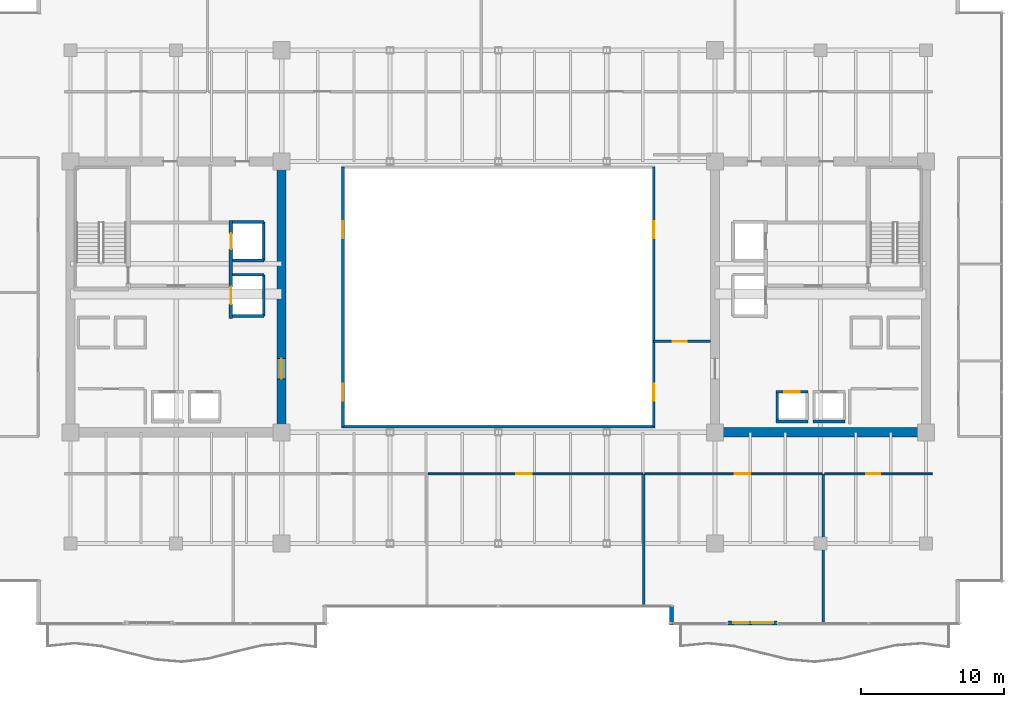
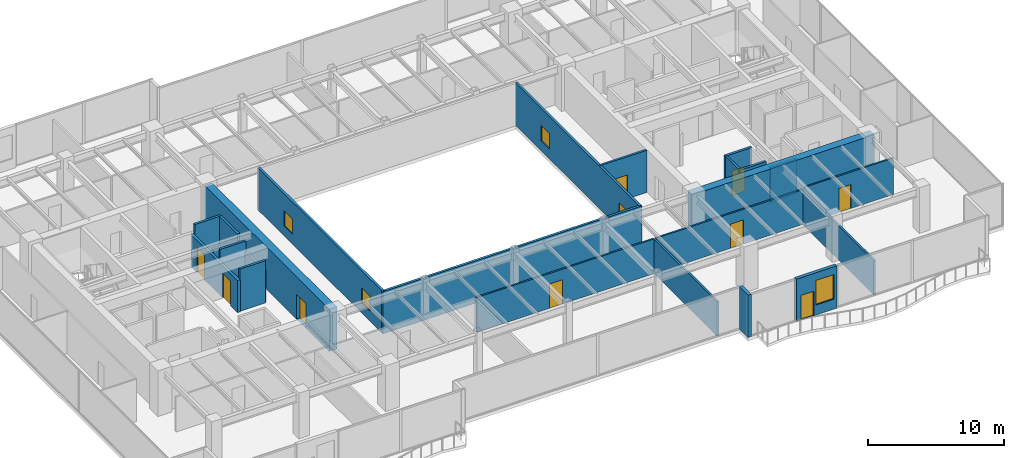
# One storey, part 24 of 30: 24 walls, 9 doors, 5 windows, 14 openings.
"""IFC4 building model written with IfcOpenShell, lengths in metres."""

from ifc_helpers import new_model, si_unit, direction, frame, frame_2d, origin, place, context, subcontext, project, spatial, rectangle, extrude, source, transform, mapped, material, layer, layer_set, type_object, type_shapes, element, fill, save


model = new_model("IFC4")

# Units and contexts
model_context = context("Model", 3, precision=1e-05, world=origin(), true_north=direction((0.0, 1.0)))
body_context = subcontext(model_context, "Body", "Model", "MODEL_VIEW")
ifc_project = project(units=[si_unit("LENGTHUNIT", "METRE"), si_unit("AREAUNIT", "SQUARE_METRE"), si_unit("VOLUMEUNIT", "CUBIC_METRE"), si_unit("PLANEANGLEUNIT", "RADIAN"), si_unit("MASSUNIT", "GRAM", prefix="KILO")], contexts=[model_context])

# Site, building, storey
site_placement = place(None, origin())
site = spatial("IfcSite", under=ifc_project, at=site_placement, CompositionType="ELEMENT")
building_placement = place(site_placement, origin())
building = spatial("IfcBuilding", under=site, at=building_placement, Name="Haelvirn Gate Laboratories", CompositionType="ELEMENT")
storey_placement = place(building_placement, frame((0.0, 0.0, 146.10009765625)))
storey = spatial("IfcBuildingStorey", under=building, at=storey_placement, Name="L35", CompositionType="ELEMENT", Elevation=146.10009765625)

# Wall, openings, door, window
ifc_material_1 = material(Name="Thermally-broken bronze aluminium rainscreen & mineral wool", Category="aluminium")
ifc_layer_1 = layer(ifc_material_1, 0.280029296875, Name="EW-TERR-280")
ifc_layer_set_1 = layer_set([ifc_layer_1], Name="Thermally-broken bronze aluminium rainscreen & mineral wool")
wall_type_1 = type_object("IfcWallType", Name="EW-TERR-280", PredefinedType="STANDARD", material=ifc_layer_set_1)
wall_1_placement = place(storey_placement, frame((53.4970703125, 1.43994140625, 0.0), z_axis=(0.0, 0.0, 1.0), x_axis=(1.0, 0.0, 0.0)))
wall_1 = element("IfcWall", 1, at=wall_1_placement, inside=storey, type_object=wall_type_1, Name="L35 Terrace Access Wall WB-EL-S", PredefinedType="STANDARD", context=body_context, shape_type="SweptSolid", body=[
    extrude(rectangle(XDim=3.455810546875, YDim=0.280029296875, at=frame_2d((1.72802734375, 0.0))), origin(), (0.0, 0.0, 1.0), 3.789794921875),
])
opening_1_placement = place(wall_1_placement, frame((0.3779296875, 0.0, 0.0)))
opening_1 = element("IfcOpeningElement", 2, at=opening_1_placement, cuts=wall_1, Name="Opening TD1", PredefinedType="OPENING", context=body_context, shape_type="SweptSolid", body=[
    extrude(rectangle(XDim=1.10009765625, YDim=2.199951171875, at=frame_2d((0.550048828125, 1.10009765625))), frame((0.0, 0.14990234375, 0.0), z_axis=(0.0, -1.0, 0.0), x_axis=(1.0, 0.0, 0.0)), (0.0, 0.0, 1.0), 0.300048828125),
])
opening_2_placement = place(wall_1_placement, frame((1.677978515625, 0.0, 0.89990234375)))
opening_2 = element("IfcOpeningElement", 3, at=opening_2_placement, cuts=wall_1, Name="Opening W3", PredefinedType="OPENING", context=body_context, shape_type="SweptSolid", body=[
    extrude(rectangle(XDim=1.5, YDim=2.199951171875, at=frame_2d((0.75, 1.10009765625))), frame((0.0, 0.14990234375, 0.0), z_axis=(0.0, -1.0, 0.0), x_axis=(1.0, 0.0, 0.0)), (0.0, 0.0, 1.0), 0.300048828125),
])
ifc_material_2 = material(Name="Thermally-broken bronze aluminium glazed terrace door", Category="aluminium")
door_type_1 = type_object("IfcDoorType", Name="DR-TERR-1100", OperationType="NOTDEFINED", PredefinedType="DOOR", material=ifc_material_2)
shared_shape_1 = source(origin(), body_context, "Body", "SweptSolid", [
    extrude(rectangle(XDim=1.10009765625, YDim=2.199951171875, at=frame_2d((0.550048828125, 1.10009765625))), frame((0.0, 0.02490234375, 0.0), z_axis=(0.0, -1.0, 0.0), x_axis=(1.0, 0.0, 0.0)), (0.0, 0.0, 1.0), 0.050048828125),
])
type_shapes(door_type_1, [shared_shape_1])
door_1_placement = place(opening_1_placement, origin())
door_1 = element("IfcDoor", 4, at=door_1_placement, inside=storey, type_object=door_type_1, Name="L35 Terrace Access Door WB-EL-S", OperationType="SINGLE_SWING_LEFT", OverallHeight=2.199951171875, OverallWidth=1.10009765625, PredefinedType="DOOR", context=body_context, shape_type="MappedRepresentation", body=[
    mapped(shared_shape_1, transform((0.0, 0.0, 0.0), scale=1.0)),
])
fill(opening_1, door_1)
ifc_material_3 = material(Name="Bronze anodised aluminium & triple low-E glass", Category="aluminium")
window_type_1 = type_object("IfcWindowType", Name="WIN-TERR-1600", PartitioningType="SINGLE_PANEL", PredefinedType="WINDOW", material=ifc_material_3)
shared_shape_2 = source(origin(), body_context, "Body", "SweptSolid", [
    extrude(rectangle(XDim=1.5, YDim=2.199951171875, at=frame_2d((0.75, 1.10009765625))), frame((0.0, 0.030029296875, 0.0), z_axis=(0.0, -1.0, 0.0), x_axis=(1.0, 0.0, 0.0)), (0.0, 0.0, 1.0), 0.06005859375),
])
type_shapes(window_type_1, [shared_shape_2])
window_1_placement = place(opening_2_placement, origin())
window_1 = element("IfcWindow", 5, at=window_1_placement, inside=storey, type_object=window_type_1, Name="L35 Terrace Vision Window WB-EL-S", OverallHeight=2.199951171875, OverallWidth=1.5, PartitioningType="SINGLE_PANEL", PredefinedType="WINDOW", context=body_context, shape_type="MappedRepresentation", body=[
    mapped(shared_shape_2, transform((0.0, 0.0, 0.0), scale=1.0)),
])
fill(opening_2, window_1)

# Walls
wall_2_placement = place(storey_placement, frame((49.5400390625, 2.587890625, 0.0), z_axis=(0.0, 0.0, 1.0), x_axis=(0.0, -1.0, 0.0)))
element("IfcWall", 6, at=wall_2_placement, inside=storey, type_object=wall_type_1, Name="L35 Atrium Recess Bronze Return Wall 03", PredefinedType="STANDARD", context=body_context, shape_type="SweptSolid", body=[
    extrude(rectangle(XDim=1.287841796875, YDim=0.280029296875, at=frame_2d((0.64404296875, 0.0))), origin(), (0.0, 0.0, 1.0), 3.789794921875),
])
ifc_material_4 = material(Name="Double-layer acoustic gypsum laboratory partition", Category="gypsum")
ifc_layer_2 = layer(ifc_material_4, 0.159912109375, Name="IW-ACOUST-160")
ifc_layer_set_2 = layer_set([ifc_layer_2], Name="Double-layer acoustic gypsum laboratory partition")
wall_type_2 = type_object("IfcWallType", Name="IW-ACOUST-160", PredefinedType="PARTITIONING", material=ifc_layer_set_2)
wall_3_placement = place(storey_placement, frame((47.60009765625, 2.610107421875, 0.0), z_axis=(0.0, 0.0, 1.0), x_axis=(0.0, 1.0, 0.0)))
element("IfcWall", 7, at=wall_3_placement, inside=storey, type_object=wall_type_2, Name="L35 Interior Wall IW-L35-SDIV-03", PredefinedType="PARTITIONING", context=body_context, shape_type="SweptSolid", body=[
    extrude(rectangle(XDim=9.27978515625, YDim=0.159912109375, at=frame_2d((4.639892578125, 0.0))), origin(), (0.0, 0.0, 1.0), 3.074951171875),
])
wall_4_placement = place(storey_placement, frame((60.199951171875, 1.409912109375, 0.0), z_axis=(0.0, 0.0, 1.0), x_axis=(0.0, 1.0, 0.0)))
element("IfcWall", 8, at=wall_4_placement, inside=storey, type_object=wall_type_2, Name="L35 Interior Wall IW-L35-SDIV-04", PredefinedType="PARTITIONING", context=body_context, shape_type="SweptSolid", body=[
    extrude(rectangle(XDim=10.47998046875, YDim=0.159912109375, at=frame_2d((5.239990234375, 0.0))), origin(), (0.0, 0.0, 1.0), 3.074951171875),
])

# Wall, opening, door
ifc_material_5 = material(Name="Fire-rated acoustic gypsum board partition", Category="gypsum")
ifc_layer_3 = layer(ifc_material_5, 0.175048828125, Name="IW-ACOUST-180")
ifc_layer_set_3 = layer_set([ifc_layer_3], Name="Fire-rated acoustic gypsum board partition")
wall_type_3 = type_object("IfcWallType", Name="IW-ACOUST-180", PredefinedType="PARTITIONING", material=ifc_layer_set_3)
wall_5_placement = place(storey_placement, frame((48.300048828125, 21.179931640625, 0.0), z_axis=(0.0, 0.0, 1.0), x_axis=(1.0, 0.0, 0.0)))
wall_5 = element("IfcWall", 9, at=wall_5_placement, inside=storey, type_object=wall_type_3, Name="L35 Interior Wall IW-L35-ASEM-S", PredefinedType="PARTITIONING", context=body_context, shape_type="SweptSolid", body=[
    extrude(rectangle(XDim=3.974853515625, YDim=0.175048828125, at=frame_2d((1.9873046875, 0.0))), origin(), (0.0, 0.0, 1.0), 3.789794921875),
])
opening_3_placement = place(wall_5_placement, frame((1.35009765625, 0.0, 0.0)))
opening_3 = element("IfcOpeningElement", 10, at=opening_3_placement, cuts=wall_5, Name="Opening FD4", PredefinedType="OPENING", context=body_context, shape_type="SweptSolid", body=[
    extrude(rectangle(XDim=0.949951171875, YDim=2.14990234375, at=frame_2d((0.47509765625, 1.074951171875))), frame((0.0, 0.09765625, 0.0), z_axis=(0.0, -1.0, 0.0), x_axis=(1.0, 0.0, 0.0)), (0.0, 0.0, 1.0), 0.195068359375),
])
ifc_material_6 = material(Name="Fire-rated steel SM355 core service door", Category="steel")
door_type_2 = type_object("IfcDoorType", Name="DR-FD-950", OperationType="NOTDEFINED", PredefinedType="DOOR", material=ifc_material_6)
shared_shape_3 = source(origin(), body_context, "Body", "SweptSolid", [
    extrude(rectangle(XDim=0.949951171875, YDim=2.14990234375, at=frame_2d((0.47509765625, 1.074951171875))), frame((0.0, 0.02490234375, 0.0), z_axis=(0.0, -1.0, 0.0), x_axis=(1.0, 0.0, 0.0)), (0.0, 0.0, 1.0), 0.050048828125),
])
type_shapes(door_type_2, [shared_shape_3])
door_2_placement = place(opening_3_placement, origin())
door_2 = element("IfcDoor", 11, at=door_2_placement, inside=storey, type_object=door_type_2, Name="L35 Atrium Bioinformatics Suite Door", OperationType="SINGLE_SWING_LEFT", OverallHeight=2.14990234375, OverallWidth=0.949951171875, PredefinedType="DOOR", context=body_context, shape_type="MappedRepresentation", body=[
    mapped(shared_shape_3, transform((0.0, 0.0, 0.0), scale=1.0)),
])
fill(opening_3, door_2)

# Wall, openings, windows
ifc_material_7 = material(Name="Tempered fire-rated borosilicate glass & anodised aluminium", Category="aluminium")
ifc_layer_4 = layer(ifc_material_7, 0.195068359375, Name="IW-GLAZ-200")
ifc_layer_set_4 = layer_set([ifc_layer_4], Name="Tempered fire-rated borosilicate glass & anodised aluminium")
wall_type_4 = type_object("IfcWallType", Name="IW-GLAZ-200", PredefinedType="SOLIDWALL", material=ifc_layer_set_4)
wall_6_placement = place(storey_placement, frame((26.5, 15.199951171875, 0.0), z_axis=(0.0, 0.0, 1.0), x_axis=(0.0, 1.0, 0.0)))
wall_6 = element("IfcWall", 12, at=wall_6_placement, inside=storey, type_object=wall_type_4, Name="L35 Interior Wall IW-L35-ATRIUM-W", PredefinedType="SOLIDWALL", context=body_context, shape_type="SweptSolid", body=[
    extrude(rectangle(XDim=18.199951171875, YDim=0.195068359375, at=frame_2d((9.10009765625, 0.0))), origin(), (0.0, 0.0, 1.0), 3.789794921875),
])
opening_4_placement = place(wall_6_placement, frame((1.800048828125, 0.0, 0.89990234375)))
opening_4 = element("IfcOpeningElement", 13, at=opening_4_placement, cuts=wall_6, Name="Opening W6", PredefinedType="OPENING", context=body_context, shape_type="SweptSolid", body=[
    extrude(rectangle(XDim=1.199951171875, YDim=1.35009765625, at=frame_2d((0.60009765625, 0.675048828125))), frame((0.0, 0.107421875, 0.0), z_axis=(0.0, -1.0, 0.0), x_axis=(1.0, 0.0, 0.0)), (0.0, 0.0, 1.0), 0.215087890625),
])
opening_5_placement = place(wall_6_placement, frame((13.199951171875, 0.0, 0.89990234375)))
opening_5 = element("IfcOpeningElement", 14, at=opening_5_placement, cuts=wall_6, Name="Opening W6", PredefinedType="OPENING", context=body_context, shape_type="SweptSolid", body=[
    extrude(rectangle(XDim=1.199951171875, YDim=1.35009765625, at=frame_2d((0.60009765625, 0.675048828125))), frame((0.0, 0.107421875, 0.0), z_axis=(0.0, -1.0, 0.0), x_axis=(1.0, 0.0, 0.0)), (0.0, 0.0, 1.0), 0.215087890625),
])
ifc_material_8 = material(Name="Fire-rated EI 120 borosilicate atrium vision glazing", Category="glass")
window_type_2 = type_object("IfcWindowType", Name="WN-ATR-1200", PartitioningType="SINGLE_PANEL", PredefinedType="WINDOW", material=ifc_material_8)
shared_shape_4 = source(origin(), body_context, "Body", "SweptSolid", [
    extrude(rectangle(XDim=1.199951171875, YDim=1.35009765625, at=frame_2d((0.60009765625, 0.675048828125))), frame((0.0, 0.030029296875, 0.0), z_axis=(0.0, -1.0, 0.0), x_axis=(1.0, 0.0, 0.0)), (0.0, 0.0, 1.0), 0.06005859375),
])
type_shapes(window_type_2, [shared_shape_4])
window_2_placement = place(opening_4_placement, origin())
window_2 = element("IfcWindow", 15, at=window_2_placement, inside=storey, type_object=window_type_2, Name="L35 Atrium Observation Window 1", OverallHeight=1.35009765625, OverallWidth=1.199951171875, PartitioningType="SINGLE_PANEL", PredefinedType="WINDOW", context=body_context, shape_type="MappedRepresentation", body=[
    mapped(shared_shape_4, transform((0.0, 0.0, 0.0), scale=1.0)),
])
fill(opening_4, window_2)
window_3_placement = place(opening_5_placement, origin())
window_3 = element("IfcWindow", 16, at=window_3_placement, inside=storey, type_object=window_type_2, Name="L35 Atrium Observation Window 2", OverallHeight=1.35009765625, OverallWidth=1.199951171875, PartitioningType="SINGLE_PANEL", PredefinedType="WINDOW", context=body_context, shape_type="MappedRepresentation", body=[
    mapped(shared_shape_4, transform((0.0, 0.0, 0.0), scale=1.0)),
])
fill(opening_5, window_3)

wall_7_placement = place(storey_placement, frame((48.300048828125, 15.199951171875, 0.0), z_axis=(0.0, 0.0, 1.0), x_axis=(0.0, 1.0, 0.0)))
wall_7 = element("IfcWall", 17, at=wall_7_placement, inside=storey, type_object=wall_type_4, Name="L35 Interior Wall IW-L35-ATRIUM-E", PredefinedType="SOLIDWALL", context=body_context, shape_type="SweptSolid", body=[
    extrude(rectangle(XDim=18.199951171875, YDim=0.195068359375, at=frame_2d((9.10009765625, 0.0))), origin(), (0.0, 0.0, 1.0), 3.789794921875),
])
opening_6_placement = place(wall_7_placement, frame((1.800048828125, 0.0, 0.89990234375)))
opening_6 = element("IfcOpeningElement", 18, at=opening_6_placement, cuts=wall_7, Name="Opening W6", PredefinedType="OPENING", context=body_context, shape_type="SweptSolid", body=[
    extrude(rectangle(XDim=1.199951171875, YDim=1.35009765625, at=frame_2d((0.60009765625, 0.675048828125))), frame((0.0, 0.107421875, 0.0), z_axis=(0.0, -1.0, 0.0), x_axis=(1.0, 0.0, 0.0)), (0.0, 0.0, 1.0), 0.215087890625),
])
opening_7_placement = place(wall_7_placement, frame((13.199951171875, 0.0, 0.89990234375)))
opening_7 = element("IfcOpeningElement", 19, at=opening_7_placement, cuts=wall_7, Name="Opening W6", PredefinedType="OPENING", context=body_context, shape_type="SweptSolid", body=[
    extrude(rectangle(XDim=1.199951171875, YDim=1.35009765625, at=frame_2d((0.60009765625, 0.675048828125))), frame((0.0, 0.107421875, 0.0), z_axis=(0.0, -1.0, 0.0), x_axis=(1.0, 0.0, 0.0)), (0.0, 0.0, 1.0), 0.215087890625),
])
window_4_placement = place(opening_6_placement, origin())
window_4 = element("IfcWindow", 20, at=window_4_placement, inside=storey, type_object=window_type_2, Name="L35 Atrium Observation Window 1", OverallHeight=1.35009765625, OverallWidth=1.199951171875, PartitioningType="SINGLE_PANEL", PredefinedType="WINDOW", context=body_context, shape_type="MappedRepresentation", body=[
    mapped(shared_shape_4, transform((0.0, 0.0, 0.0), scale=1.0)),
])
fill(opening_6, window_4)
window_5_placement = place(opening_7_placement, origin())
window_5 = element("IfcWindow", 21, at=window_5_placement, inside=storey, type_object=window_type_2, Name="L35 Atrium Observation Window 2", OverallHeight=1.35009765625, OverallWidth=1.199951171875, PartitioningType="SINGLE_PANEL", PredefinedType="WINDOW", context=body_context, shape_type="MappedRepresentation", body=[
    mapped(shared_shape_4, transform((0.0, 0.0, 0.0), scale=1.0)),
])
fill(opening_7, window_5)

# Wall
wall_8_placement = place(storey_placement, frame((26.39990234375, 15.199951171875, 0.0), z_axis=(0.0, 0.0, 1.0), x_axis=(1.0, 0.0, 0.0)))
element("IfcWall", 22, at=wall_8_placement, inside=storey, type_object=wall_type_4, Name="L35 Interior Wall IW-L35-ATRIUM-S", PredefinedType="SOLIDWALL", context=body_context, shape_type="SweptSolid", body=[
    extrude(rectangle(XDim=22.0, YDim=0.195068359375, at=frame_2d((11.0, 0.0))), origin(), (0.0, 0.0, 1.0), 3.789794921875),
])

# Wall, opening, door
ifc_material_9 = material(Name="Acoustic mineral-wool gypsum board partition", Category="gypsum")
ifc_layer_5 = layer(ifc_material_9, 0.139892578125, Name="IW-PART-140")
ifc_layer_set_5 = layer_set([ifc_layer_5], Name="Acoustic mineral-wool gypsum board partition")
wall_type_5 = type_object("IfcWallType", Name="IW-PART-140", PredefinedType="PARTITIONING", material=ifc_layer_set_5)
wall_9_placement = place(storey_placement, frame((32.47998046875, 11.889892578125, 0.0), z_axis=(0.0, 0.0, 1.0), x_axis=(1.0, 0.0, 0.0)))
wall_9 = element("IfcWall", 23, at=wall_9_placement, inside=storey, type_object=wall_type_5, Name="L35 Interior Wall IW-L35-SCORR-03", PredefinedType="PARTITIONING", context=body_context, shape_type="SweptSolid", body=[
    extrude(rectangle(XDim=15.0400390625, YDim=0.139892578125, at=frame_2d((7.52001953125, 0.0))), origin(), (0.0, 0.0, 1.0), 3.125),
])
opening_8_placement = place(wall_9_placement, frame((6.175537109375, 0.0, 0.0)))
opening_8 = element("IfcOpeningElement", 24, at=opening_8_placement, cuts=wall_9, Name="Opening D1", PredefinedType="OPENING", context=body_context, shape_type="SweptSolid", body=[
    extrude(rectangle(XDim=1.10009765625, YDim=2.179931640625, at=frame_2d((0.550048828125, 1.08984375))), frame((0.0, 0.080078125, 0.0), z_axis=(0.0, -1.0, 0.0), x_axis=(1.0, 0.0, 0.0)), (0.0, 0.0, 1.0), 0.159912109375),
])
ifc_material_10 = material(Name="Vision-panel acoustic solid-core timber lab door", Category="wood")
door_type_3 = type_object("IfcDoorType", Name="DR-LAB-1100", OperationType="NOTDEFINED", PredefinedType="DOOR", material=ifc_material_10)
shared_shape_5 = source(origin(), body_context, "Body", "SweptSolid", [
    extrude(rectangle(XDim=1.10009765625, YDim=2.179931640625, at=frame_2d((0.550048828125, 1.08984375))), frame((0.0, 0.02490234375, 0.0), z_axis=(0.0, -1.0, 0.0), x_axis=(1.0, 0.0, 0.0)), (0.0, 0.0, 1.0), 0.050048828125),
])
type_shapes(door_type_3, [shared_shape_5])
door_3_placement = place(opening_8_placement, origin())
door_3 = element("IfcDoor", 25, at=door_3_placement, inside=storey, type_object=door_type_3, Name="L35 Bioinformatics Dry-Lab Workspace Door S3", OperationType="SINGLE_SWING_RIGHT", OverallHeight=2.179931640625, OverallWidth=1.10009765625, PredefinedType="DOOR", context=body_context, shape_type="MappedRepresentation", body=[
    mapped(shared_shape_5, transform((0.0, 0.0, 0.0), scale=1.0)),
])
fill(opening_8, door_3)

wall_10_placement = place(storey_placement, frame((47.679931640625, 11.889892578125, 0.0), z_axis=(0.0, 0.0, 1.0), x_axis=(1.0, 0.0, 0.0)))
wall_10 = element("IfcWall", 26, at=wall_10_placement, inside=storey, type_object=wall_type_5, Name="L35 Interior Wall IW-L35-SCORR-04", PredefinedType="PARTITIONING", context=body_context, shape_type="SweptSolid", body=[
    extrude(rectangle(XDim=12.440185546875, YDim=0.139892578125, at=frame_2d((6.22021484375, 0.0))), origin(), (0.0, 0.0, 1.0), 3.125),
])
opening_9_placement = place(wall_10_placement, frame((6.308349609375, 0.0, 0.0)))
opening_9 = element("IfcOpeningElement", 27, at=opening_9_placement, cuts=wall_10, Name="Opening D1", PredefinedType="OPENING", context=body_context, shape_type="SweptSolid", body=[
    extrude(rectangle(XDim=1.10009765625, YDim=2.179931640625, at=frame_2d((0.550048828125, 1.08984375))), frame((0.0, 0.080078125, 0.0), z_axis=(0.0, -1.0, 0.0), x_axis=(1.0, 0.0, 0.0)), (0.0, 0.0, 1.0), 0.159912109375),
])
door_4_placement = place(opening_9_placement, origin())
door_4 = element("IfcDoor", 28, at=door_4_placement, inside=storey, type_object=door_type_3, Name="L35 Translational Data Office Door S4", OperationType="SINGLE_SWING_LEFT", OverallHeight=2.179931640625, OverallWidth=1.10009765625, PredefinedType="DOOR", context=body_context, shape_type="MappedRepresentation", body=[
    mapped(shared_shape_5, transform((0.0, 0.0, 0.0), scale=1.0)),
])
fill(opening_9, door_4)

wall_11_placement = place(storey_placement, frame((60.280029296875, 11.889892578125, 0.0), z_axis=(0.0, 0.0, 1.0), x_axis=(1.0, 0.0, 0.0)))
wall_11 = element("IfcWall", 29, at=wall_11_placement, inside=storey, type_object=wall_type_5, Name="L35 Interior Wall IW-L35-SCORR-05", PredefinedType="PARTITIONING", context=body_context, shape_type="SweptSolid", body=[
    extrude(rectangle(XDim=7.5400390625, YDim=0.139892578125, at=frame_2d((3.77001953125, 0.0))), origin(), (0.0, 0.0, 1.0), 3.27490234375),
])
opening_10_placement = place(wall_11_placement, frame((2.919677734375, 0.0, 0.0)))
opening_10 = element("IfcOpeningElement", 30, at=opening_10_placement, cuts=wall_11, Name="Opening D2", PredefinedType="OPENING", context=body_context, shape_type="SweptSolid", body=[
    extrude(rectangle(XDim=1.0, YDim=2.14990234375, at=frame_2d((0.5, 1.074951171875))), frame((0.0, 0.080078125, 0.0), z_axis=(0.0, -1.0, 0.0), x_axis=(1.0, 0.0, 0.0)), (0.0, 0.0, 1.0), 0.159912109375),
])
ifc_material_11 = material(Name="Acoustic solid-core timber suite door", Category="wood")
door_type_4 = type_object("IfcDoorType", Name="DR-INT-1000", OperationType="NOTDEFINED", PredefinedType="DOOR", material=ifc_material_11)
shared_shape_6 = source(origin(), body_context, "Body", "SweptSolid", [
    extrude(rectangle(XDim=1.0, YDim=2.14990234375, at=frame_2d((0.5, 1.074951171875))), frame((0.0, 0.02490234375, 0.0), z_axis=(0.0, -1.0, 0.0), x_axis=(1.0, 0.0, 0.0)), (0.0, 0.0, 1.0), 0.050048828125),
])
type_shapes(door_type_4, [shared_shape_6])
door_5_placement = place(opening_10_placement, origin())
door_5 = element("IfcDoor", 31, at=door_5_placement, inside=storey, type_object=door_type_4, Name="L35 Peer-Review Seminar Room Door S5", OperationType="SINGLE_SWING_RIGHT", OverallHeight=2.14990234375, OverallWidth=1.0, PredefinedType="DOOR", context=body_context, shape_type="MappedRepresentation", body=[
    mapped(shared_shape_6, transform((0.0, 0.0, 0.0), scale=1.0)),
])
fill(opening_10, door_5)

# Walls
ifc_material_12 = material(Name="Concrete C40/50", Category="concrete")
ifc_layer_6 = layer(ifc_material_12, 0.179931640625, Name="IW-SHAFT-180")
ifc_layer_set_6 = layer_set([ifc_layer_6], Name="Concrete C40/50")
wall_type_6 = type_object("IfcWallType", Name="IW-SHAFT-180", PredefinedType="SOLIDWALL", material=ifc_layer_set_6)
wall_12_placement = place(storey_placement, frame((56.949951171875, 15.64990234375, 0.0), z_axis=(0.0, 0.0, 1.0), x_axis=(0.0, 1.0, 0.0)))
element("IfcWall", 32, at=wall_12_placement, inside=storey, type_object=wall_type_6, Name="L35 Interior Wall IW-L35-PL8-SD", PredefinedType="SOLIDWALL", context=body_context, shape_type="SweptSolid", body=[
    extrude(rectangle(XDim=1.900146484375, YDim=0.179931640625, at=frame_2d((0.9501953125, 0.0))), origin(), (0.0, 0.0, 1.0), 3.789794921875),
])
ifc_layer_7 = layer(ifc_material_12, 0.199951171875, Name="IW-SHAFT-200")
ifc_layer_set_7 = layer_set([ifc_layer_7], Name="Concrete C40/50")
wall_type_7 = type_object("IfcWallType", Name="IW-SHAFT-200", PredefinedType="SOLIDWALL", material=ifc_layer_set_7)
wall_13_placement = place(storey_placement, frame((20.949951171875, 26.85009765625, 0.0), z_axis=(0.0, 0.0, 1.0), x_axis=(0.0, 1.0, 0.0)))
element("IfcWall", 33, at=wall_13_placement, inside=storey, type_object=wall_type_7, Name="L35 Interior Wall IW-L35-FL1-BK", PredefinedType="SOLIDWALL", context=body_context, shape_type="SweptSolid", body=[
    extrude(rectangle(XDim=2.699951171875, YDim=0.199951171875, at=frame_2d((1.35009765625, 0.0))), origin(), (0.0, 0.0, 1.0), 3.789794921875),
])
wall_14_placement = place(storey_placement, frame((18.760009765625, 29.550048828125, 0.0), z_axis=(0.0, 0.0, 1.0), x_axis=(1.0, 0.0, 0.0)))
element("IfcWall", 34, at=wall_14_placement, inside=storey, type_object=wall_type_7, Name="L35 Interior Wall IW-L35-FL1-N", PredefinedType="SOLIDWALL", context=body_context, shape_type="SweptSolid", body=[
    extrude(rectangle(XDim=2.18994140625, YDim=0.199951171875, at=frame_2d((1.094970703125, 0.0))), origin(), (0.0, 0.0, 1.0), 3.789794921875),
])
wall_15_placement = place(storey_placement, frame((18.760009765625, 26.85009765625, 0.0), z_axis=(0.0, 0.0, 1.0), x_axis=(1.0, 0.0, 0.0)))
element("IfcWall", 35, at=wall_15_placement, inside=storey, type_object=wall_type_7, Name="L35 Interior Wall IW-L35-FL1-S", PredefinedType="SOLIDWALL", context=body_context, shape_type="SweptSolid", body=[
    extrude(rectangle(XDim=2.18994140625, YDim=0.199951171875, at=frame_2d((1.094970703125, 0.0))), origin(), (0.0, 0.0, 1.0), 3.18701171875),
])
wall_16_placement = place(storey_placement, frame((20.949951171875, 22.949951171875, 0.0), z_axis=(0.0, 0.0, 1.0), x_axis=(0.0, 1.0, 0.0)))
element("IfcWall", 36, at=wall_16_placement, inside=storey, type_object=wall_type_7, Name="L35 Interior Wall IW-L35-SL1-BK", PredefinedType="SOLIDWALL", context=body_context, shape_type="SweptSolid", body=[
    extrude(rectangle(XDim=2.900146484375, YDim=0.199951171875, at=frame_2d((1.4501953125, 0.0))), origin(), (0.0, 0.0, 1.0), 2.875),
])
for number, where, z_axis, x_axis, name in (
    (37, (18.760009765625, 25.85009765625, 0.0), (0.0, 0.0, 1.0), (1.0, 0.0, 0.0), "L35 Interior Wall IW-L35-SL1-N"),
    (38, (18.760009765625, 22.949951171875, 0.0), (0.0, 0.0, 1.0), (1.0, 0.0, 0.0), "L35 Interior Wall IW-L35-SL1-S"),
):
    element("IfcWall", number, at=place(storey_placement, frame(where, z_axis=z_axis, x_axis=x_axis)), inside=storey, type_object=wall_type_7, Name=name, PredefinedType="SOLIDWALL", context=body_context, shape_type="SweptSolid", body=[
        extrude(rectangle(XDim=2.18994140625, YDim=0.199951171875, at=frame_2d((1.094970703125, 0.0))), origin(), (0.0, 0.0, 1.0), 3.789794921875),
    ])
wall_17_placement = place(storey_placement, frame((59.469970703125, 15.550048828125, 0.0), z_axis=(0.0, 0.0, 1.0), x_axis=(1.0, 0.0, 0.0)))
element("IfcWall", 39, at=wall_17_placement, inside=storey, type_object=wall_type_7, Name="L35 Interior Wall IW-L35-PL7-BK", PredefinedType="SOLIDWALL", context=body_context, shape_type="SweptSolid", body=[
    extrude(rectangle(XDim=2.260009765625, YDim=0.199951171875, at=frame_2d((1.1298828125, 0.0))), origin(), (0.0, 0.0, 1.0), 3.125),
])

# Wall, opening, door
wall_18_placement = place(storey_placement, frame((56.8701171875, 17.64990234375, 0.0), z_axis=(0.0, 0.0, 1.0), x_axis=(1.0, 0.0, 0.0)))
wall_18 = element("IfcWall", 40, at=wall_18_placement, inside=storey, type_object=wall_type_7, Name="L35 Interior Wall IW-L35-PL8-FR", PredefinedType="SOLIDWALL", context=body_context, shape_type="SweptSolid", body=[
    extrude(rectangle(XDim=2.259765625, YDim=0.199951171875, at=frame_2d((1.1298828125, 0.0))), origin(), (0.0, 0.0, 1.0), 3.789794921875),
])
opening_11_placement = place(wall_18_placement, frame((0.580078125, 0.0, 0.0)))
opening_11 = element("IfcOpeningElement", 41, at=opening_11_placement, cuts=wall_18, Name="Opening LD2", PredefinedType="OPENING", context=body_context, shape_type="SweptSolid", body=[
    extrude(rectangle(XDim=1.10009765625, YDim=2.219970703125, at=frame_2d((0.550048828125, 1.10986328125))), frame((0.0, 0.10986328125, 0.0), z_axis=(0.0, -1.0, 0.0), x_axis=(1.0, 0.0, 0.0)), (0.0, 0.0, 1.0), 0.219970703125),
])
ifc_material_13 = material(Name="Bronze stainless 316L sliding lift landing door")
door_type_5 = type_object("IfcDoorType", Name="DR-LD-1100", OperationType="NOTDEFINED", PredefinedType="USERDEFINED", material=ifc_material_13)
shared_shape_7 = source(origin(), body_context, "Body", "SweptSolid", [
    extrude(rectangle(XDim=1.10009765625, YDim=2.219970703125, at=frame_2d((0.550048828125, 1.10986328125))), frame((0.0, 0.02490234375, 0.0), z_axis=(0.0, -1.0, 0.0), x_axis=(1.0, 0.0, 0.0)), (0.0, 0.0, 1.0), 0.050048828125),
])
type_shapes(door_type_5, [shared_shape_7])
door_6_placement = place(opening_11_placement, origin())
door_6 = element("IfcDoor", 42, at=door_6_placement, inside=storey, type_object=door_type_5, Name="L35 Passenger Lift PL8 Landing Door", ObjectType="LANDING_DOOR", OperationType="SLIDING_TO_RIGHT", OverallHeight=2.219970703125, OverallWidth=1.10009765625, PredefinedType="USERDEFINED", context=body_context, shape_type="MappedRepresentation", body=[
    mapped(shared_shape_7, transform((0.0, 0.0, 0.0), scale=1.0)),
])
fill(opening_11, door_6)

# Wall
wall_19_placement = place(storey_placement, frame((56.8701171875, 15.550048828125, 0.0), z_axis=(0.0, 0.0, 1.0), x_axis=(1.0, 0.0, 0.0)))
element("IfcWall", 43, at=wall_19_placement, inside=storey, type_object=wall_type_7, Name="L35 Interior Wall IW-L35-PL8-BK", PredefinedType="SOLIDWALL", context=body_context, shape_type="SweptSolid", body=[
    extrude(rectangle(XDim=2.259765625, YDim=0.199951171875, at=frame_2d((1.1298828125, 0.0))), origin(), (0.0, 0.0, 1.0), 3.789794921875),
])

# Wall, openings, doors
ifc_layer_8 = layer(ifc_material_12, 0.239990234375, Name="IW-SHAFT-240")
ifc_layer_set_8 = layer_set([ifc_layer_8], Name="Concrete C40/50")
wall_type_8 = type_object("IfcWallType", Name="IW-SHAFT-240", PredefinedType="SOLIDWALL", material=ifc_layer_set_8)
wall_20_placement = place(storey_placement, frame((18.639892578125, 22.800048828125, 0.0), z_axis=(0.0, 0.0, 1.0), x_axis=(0.0, 1.0, 0.0)))
wall_20 = element("IfcWall", 44, at=wall_20_placement, inside=storey, type_object=wall_type_8, Name="L35 Interior Wall IW-L35-W-FF-E", PredefinedType="SOLIDWALL", context=body_context, shape_type="SweptSolid", body=[
    extrude(rectangle(XDim=6.849853515625, YDim=0.239990234375, at=frame_2d((3.4248046875, 0.0))), origin(), (0.0, 0.0, 1.0), 2.875),
])
opening_12_placement = place(wall_20_placement, frame((4.85009765625, 0.0, 0.0)))
opening_12 = element("IfcOpeningElement", 45, at=opening_12_placement, cuts=wall_20, Name="Opening LD2", PredefinedType="OPENING", context=body_context, shape_type="SweptSolid", body=[
    extrude(rectangle(XDim=1.10009765625, YDim=2.219970703125, at=frame_2d((0.550048828125, 1.10986328125))), frame((0.0, 0.1298828125, 0.0), z_axis=(0.0, -1.0, 0.0), x_axis=(1.0, 0.0, 0.0)), (0.0, 0.0, 1.0), 0.260009765625),
])
opening_13_placement = place(wall_20_placement, frame((1.0, 0.0, 0.0)))
opening_13 = element("IfcOpeningElement", 46, at=opening_13_placement, cuts=wall_20, Name="Opening LD1", PredefinedType="OPENING", context=body_context, shape_type="SweptSolid", body=[
    extrude(rectangle(XDim=1.199951171875, YDim=2.219970703125, at=frame_2d((0.60009765625, 1.10986328125))), frame((0.0, 0.1298828125, 0.0), z_axis=(0.0, -1.0, 0.0), x_axis=(1.0, 0.0, 0.0)), (0.0, 0.0, 1.0), 0.260009765625),
])
door_7_placement = place(opening_12_placement, origin())
door_7 = element("IfcDoor", 47, at=door_7_placement, inside=storey, type_object=door_type_5, Name="L35 Firefighting Lift FL1 Landing Door", ObjectType="LANDING_DOOR", OperationType="SLIDING_TO_LEFT", OverallHeight=2.219970703125, OverallWidth=1.10009765625, PredefinedType="USERDEFINED", context=body_context, shape_type="MappedRepresentation", body=[
    mapped(shared_shape_7, transform((0.0, 0.0, 0.0), scale=1.0)),
])
fill(opening_12, door_7)
ifc_material_14 = material(Name="Stainless steel 316L sliding goods landing door", Category="steel")
door_type_6 = type_object("IfcDoorType", Name="DR-LD-1200", OperationType="NOTDEFINED", PredefinedType="USERDEFINED", material=ifc_material_14)
shared_shape_8 = source(origin(), body_context, "Body", "SweptSolid", [
    extrude(rectangle(XDim=1.199951171875, YDim=2.219970703125, at=frame_2d((0.60009765625, 1.10986328125))), frame((0.0, 0.02490234375, 0.0), z_axis=(0.0, -1.0, 0.0), x_axis=(1.0, 0.0, 0.0)), (0.0, 0.0, 1.0), 0.050048828125),
])
type_shapes(door_type_6, [shared_shape_8])
door_8_placement = place(opening_13_placement, origin())
door_8 = element("IfcDoor", 48, at=door_8_placement, inside=storey, type_object=door_type_6, Name="L35 Service Lift SL1 Landing Door", ObjectType="LANDING_DOOR", OperationType="SLIDING_TO_RIGHT", OverallHeight=2.219970703125, OverallWidth=1.199951171875, PredefinedType="USERDEFINED", context=body_context, shape_type="MappedRepresentation", body=[
    mapped(shared_shape_8, transform((0.0, 0.0, 0.0), scale=1.0)),
])
fill(opening_13, door_8)

# Wall, opening, door
ifc_material_15 = material(Name="Concrete C60/75", Category="concrete")
ifc_layer_9 = layer(ifc_material_15, 0.64990234375, Name="SW-CORE-650")
ifc_layer_set_9 = layer_set([ifc_layer_9], Name="Concrete C60/75")
wall_type_9 = type_object("IfcWallType", Name="SW-CORE-650", PredefinedType="SHEAR", material=ifc_layer_set_9)
wall_21_placement = place(storey_placement, frame((22.199951171875, 15.125, 0.0), z_axis=(0.0, 0.0, 1.0), x_axis=(0.0, 1.0, 0.0)))
wall_21 = element("IfcWall", 49, at=wall_21_placement, inside=storey, type_object=wall_type_9, Name="L35 W Core Shear Wall E", PredefinedType="SHEAR", context=body_context, shape_type="SweptSolid", body=[
    extrude(rectangle(XDim=18.35009765625, YDim=0.64990234375, at=frame_2d((9.175048828125, 0.0))), origin(), (0.0, 0.0, 1.0), 3.789794921875),
])
opening_14_placement = place(wall_21_placement, frame((3.425048828125, 0.0, 0.0)))
opening_14 = element("IfcOpeningElement", 50, at=opening_14_placement, cuts=wall_21, Name="Opening FD1", PredefinedType="OPENING", context=body_context, shape_type="SweptSolid", body=[
    extrude(rectangle(XDim=1.419921875, YDim=2.199951171875, at=frame_2d((0.7099609375, 1.10009765625))), frame((0.0, 0.3349609375, 0.0), z_axis=(0.0, -1.0, 0.0), x_axis=(1.0, 0.0, 0.0)), (0.0, 0.0, 1.0), 0.669921875),
])
ifc_material_16 = material(Name="Fire-rated double steel SM355 lobby door", Category="steel")
door_type_7 = type_object("IfcDoorType", Name="DR-FD-1400", OperationType="NOTDEFINED", PredefinedType="DOOR", material=ifc_material_16)
shared_shape_9 = source(origin(), body_context, "Body", "SweptSolid", [
    extrude(rectangle(XDim=1.419921875, YDim=2.199951171875, at=frame_2d((0.7099609375, 1.10009765625))), frame((0.0, 0.02490234375, 0.0), z_axis=(0.0, -1.0, 0.0), x_axis=(1.0, 0.0, 0.0)), (0.0, 0.0, 1.0), 0.050048828125),
])
type_shapes(door_type_7, [shared_shape_9])
door_9_placement = place(opening_14_placement, origin())
door_9 = element("IfcDoor", 51, at=door_9_placement, inside=storey, type_object=door_type_7, Name="L35 West Core Lift Lobby Fire Door", OperationType="DOUBLE_DOOR_SINGLE_SWING", OverallHeight=2.199951171875, OverallWidth=1.419921875, PredefinedType="DOOR", context=body_context, shape_type="MappedRepresentation", body=[
    mapped(shared_shape_9, transform((0.0, 0.0, 0.0), scale=1.0)),
])
fill(opening_14, door_9)

# Wall
wall_22_placement = place(storey_placement, frame((52.27490234375, 14.800048828125, 0.0), z_axis=(0.0, 0.0, 1.0), x_axis=(1.0, 0.0, 0.0)))
element("IfcWall", 52, at=wall_22_placement, inside=storey, type_object=wall_type_9, Name="L35 E Core Shear Wall S", PredefinedType="SHEAR", context=body_context, shape_type="SweptSolid", body=[
    extrude(rectangle(XDim=15.4501953125, YDim=0.64990234375, at=frame_2d((7.72509765625, 0.0))), origin(), (0.0, 0.0, 1.0), 3.789794921875),
])

save(model, "model.ifc")
